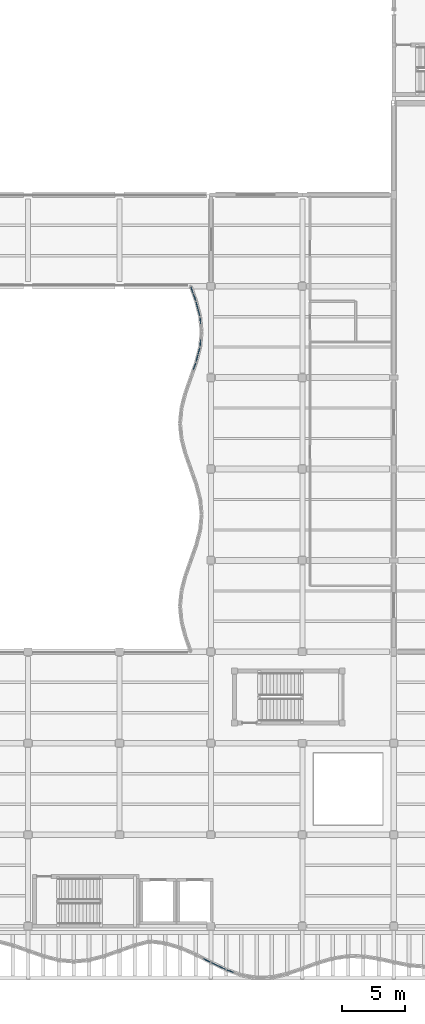
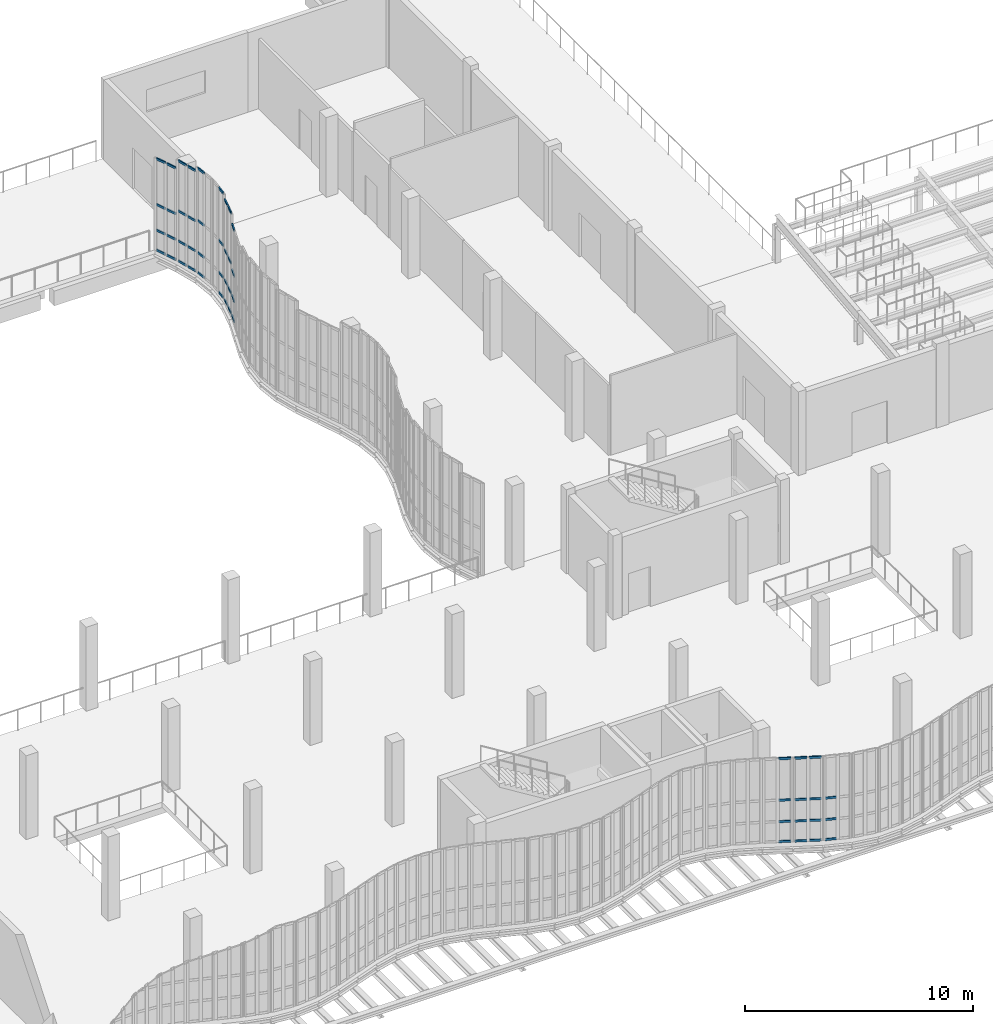
# One storey, part 56 of 105: 51 members, 9 elements without a shape of their own.
"""IFC4 building model written with IfcOpenShell, lengths in metres."""

import ifcopenshell
import ifcopenshell.guid

model = None  # the IFC model being written
_history = None  # IfcOwnerHistory: only IFC2X3 demands one
_inside = {}  # id of a spatial element -> (the spatial element, [elements in it])
_under = {}  # id of a project, library or spatial element -> (it, [spatial elements below it])
_declared = {}  # id of a project -> (the project, [libraries it declares])
_typed = {}  # id of a type object -> (the type object, [elements of that type])
_made_of = {}  # id of a material, layer set ... -> (it, [elements and type objects made of it])


def new_model(schema):
    """Start an empty IFC model of exactly this schema.

    Asked for "IFC4X3", IfcOpenShell would pick the latest addendum, in which some entities
    have other attributes; the version numbers below select the first issue.
    IFC2X3 requires an IfcOwnerHistory on every rooted entity: one is made here for all.
    """
    global model, _history
    if schema == "IFC4X3":
        model = ifcopenshell.file(schema_version=(4, 3, 0, 0))
    else:
        model = ifcopenshell.file(schema=schema)
    _inside.clear()
    _under.clear()
    _declared.clear()
    _typed.clear()
    _made_of.clear()
    _history = None
    if model.schema == "IFC2X3":
        org = make("IfcOrganization", Name="unknown")
        user = make(
            "IfcPersonAndOrganization",
            ThePerson=make("IfcPerson", FamilyName="unknown"),
            TheOrganization=org,
        )
        app = make(
            "IfcApplication",
            ApplicationDeveloper=org,
            Version="unknown",
            ApplicationFullName="unknown",
            ApplicationIdentifier="unknown",
        )
        _history = make(
            "IfcOwnerHistory",
            OwningUser=user,
            OwningApplication=app,
            ChangeAction="ADDED",
            CreationDate=0,
        )
    return model


def make(cls, **values):
    """One entity of the class cls with the attributes given. An attribute that is None is left unset."""
    return model.create_entity(
        cls, **{name: value for name, value in values.items() if value is not None}
    )


def rooted(cls, **values):
    """An entity with a GlobalId (a new one), such as an element, a storey or a relation."""
    return make(cls, GlobalId=ifcopenshell.guid.new(), OwnerHistory=_history, **values)


def si_unit(unit_type, name, prefix=None):
    """IfcSIUnit, for example si_unit("LENGTHUNIT", "METRE", prefix="MILLI")."""
    return make("IfcSIUnit", UnitType=unit_type, Prefix=prefix, Name=name)


def assignment(units):
    """IfcUnitAssignment: the units of a project."""
    return None if units is None else make("IfcUnitAssignment", Units=units)


def point(xyz):
    """IfcCartesianPoint."""
    return None if xyz is None else make("IfcCartesianPoint", Coordinates=xyz)


def direction(xyz):
    """IfcDirection."""
    return None if xyz is None else make("IfcDirection", DirectionRatios=xyz)


def frame(location, z_axis=None, x_axis=None):
    """IfcAxis2Placement3D, a coordinate frame: its origin and axes. An axis left out is left unset."""
    return make(
        "IfcAxis2Placement3D",
        Location=point(location),
        Axis=direction(z_axis),
        RefDirection=direction(x_axis),
    )


def frame_2d(location, x_axis=None):
    """IfcAxis2Placement2D, a coordinate frame in the plane: its origin and x axis."""
    return make(
        "IfcAxis2Placement2D", Location=point(location), RefDirection=direction(x_axis)
    )


def origin():
    """The frame at (0, 0, 0) with its axes left unset."""
    return frame((0.0, 0.0, 0.0))


def origin_2d():
    """The frame at (0, 0) in the plane with its x axis left unset."""
    return frame_2d((0.0, 0.0))


def place(relative_to, where):
    """IfcLocalPlacement: puts the frame where relative to a parent placement (None: the world)."""
    return make(
        "IfcLocalPlacement", PlacementRelTo=relative_to, RelativePlacement=where
    )


def context(
    kind, dimensions, precision=None, world=None, true_north=None, identifier=None
):
    """IfcGeometricRepresentationContext, for example the 3D "Model" context."""
    return make(
        "IfcGeometricRepresentationContext",
        ContextIdentifier=identifier,
        ContextType=kind,
        CoordinateSpaceDimension=dimensions,
        Precision=precision,
        WorldCoordinateSystem=world,
        TrueNorth=true_north,
    )


def subcontext(parent, identifier, kind, view, scale=None):
    """IfcGeometricRepresentationSubContext, for example "Body" below "Model"."""
    return make(
        "IfcGeometricRepresentationSubContext",
        ContextIdentifier=identifier,
        ContextType=kind,
        ParentContext=parent,
        TargetScale=scale,
        TargetView=view,
    )


def project(units=None, contexts=None):
    """IfcProject with its units and contexts."""
    return rooted(
        "IfcProject",
        Name="project",
        RepresentationContexts=contexts,
        UnitsInContext=assignment(units),
    )


def spatial(cls, under=None, at=None, **own):
    """A site, building, storey or space (cls), placed at a placement, below another one or the project."""
    s = rooted(cls, ObjectPlacement=at, **own)
    if under is not None:
        _under.setdefault(under.id(), (under, []))[1].append(s)
    return s


def profile(cls, at=None, kind="AREA", **sizes):
    """A parametric profile (cls). Its sizes go by their IFC names, for example OverallWidth=200.0."""
    return make(cls, ProfileType=kind, Position=at, **sizes)


def hollow_rectangle(**sizes):
    """IfcRectangleHollowProfileDef."""
    return profile("IfcRectangleHollowProfileDef", **sizes)


def extrude(swept, where, along, depth):
    """IfcExtrudedAreaSolid: the profile swept, set in the frame where, extruded along a direction by depth."""
    return make(
        "IfcExtrudedAreaSolid",
        SweptArea=swept,
        Position=where,
        ExtrudedDirection=direction(along),
        Depth=depth,
    )


def shape(context_of_items, identifier, shape_type, items):
    """IfcShapeRepresentation: the items that make up one representation, for example the "Body"."""
    return make(
        "IfcShapeRepresentation",
        ContextOfItems=context_of_items,
        RepresentationIdentifier=identifier,
        RepresentationType=shape_type,
        Items=items,
    )


def material(Name=None, Category=None):
    """IfcMaterial."""
    return make("IfcMaterial", Name=Name, Category=Category)


def layer(
    of_material, thickness, ventilated=None, Name=None, Category=None, Priority=None
):
    """IfcMaterialLayer: one layer of a wall or slab, of a material (None: an air gap)."""
    return make(
        "IfcMaterialLayer",
        Material=of_material,
        LayerThickness=thickness,
        IsVentilated=ventilated,
        Name=Name,
        Category=Category,
        Priority=Priority,
    )


def layer_set(layers, Name=None):
    """IfcMaterialLayerSet."""
    return make("IfcMaterialLayerSet", MaterialLayers=layers, LayerSetName=Name)


def material_profile(
    of_material, cross_section, Name=None, Category=None, Priority=None
):
    """IfcMaterialProfile: a cross section and its material."""
    return make(
        "IfcMaterialProfile",
        Name=Name,
        Material=of_material,
        Profile=cross_section,
        Priority=Priority,
        Category=Category,
    )


def profile_set(profiles, Name=None, composite=None):
    """IfcMaterialProfileSet."""
    return make(
        "IfcMaterialProfileSet",
        Name=Name,
        MaterialProfiles=profiles,
        CompositeProfile=composite,
    )


def made_of(thing, what):
    """Note that an element or type object is made of a material, layer set ...; save() writes the relation."""
    if what is not None:
        _made_of.setdefault(what.id(), (what, []))[1].append(thing)
    return thing


def type_object(cls, material=None, **own):
    """A type object (cls), such as IfcWallType, which elements share."""
    return made_of(rooted(cls, **own), material)


def element(
    cls,
    number,
    at=None,
    inside=None,
    cuts=None,
    type_object=None,
    material=None,
    context=None,
    identifier="Body",
    shape_type=None,
    held_by="IfcProductDefinitionShape",
    body=None,
    shapes=None,
    **own,
):
    """One element of the class cls, such as IfcWall. Its Tag is "e" and its number.

    at: its placement. inside: the storey or other place that contains it. cuts: it is an
    opening in that element (IfcRelVoidsElement). A single representation is given by context,
    identifier, shape_type and body (its items); several are given by shapes. held_by: the class
    of the entity that holds the representations. save() writes the other relations.
    """
    e = rooted(cls, Tag="e%d" % number, ObjectPlacement=at, **own)
    if body is not None:
        shapes = [shape(context, identifier, shape_type, body)]
    if shapes is not None:
        e.Representation = make(held_by, Representations=shapes)
    if inside is not None:
        _inside.setdefault(inside.id(), (inside, []))[1].append(e)
    if cuts is not None:
        rooted(
            "IfcRelVoidsElement", RelatingBuildingElement=cuts, RelatedOpeningElement=e
        )
    if type_object is not None:
        _typed.setdefault(type_object.id(), (type_object, []))[1].append(e)
    return made_of(e, material)


def aggregate(whole, parts):
    """IfcRelAggregates: a whole, such as a stair, and the parts it consists of."""
    return rooted("IfcRelAggregates", RelatingObject=whole, RelatedObjects=parts)


def save(model, path):
    """Write the relations noted so far, then the file.

    IfcRelAggregates (storeys below a building ...), IfcRelContainedInSpatialStructure (elements
    in a storey), IfcRelDefinesByType, IfcRelAssociatesMaterial and IfcRelDeclares: one each for
    every whole, place, type object, material and project.
    """
    for whole, parts in _under.values():
        aggregate(whole, parts)
    for where, things in _inside.values():
        rooted(
            "IfcRelContainedInSpatialStructure",
            RelatedElements=things,
            RelatingStructure=where,
        )
    for kind, things in _typed.values():
        rooted("IfcRelDefinesByType", RelatedObjects=things, RelatingType=kind)
    for what, things in _made_of.values():
        rooted("IfcRelAssociatesMaterial", RelatedObjects=things, RelatingMaterial=what)
    for by, libraries in _declared.values():
        rooted("IfcRelDeclares", RelatingContext=by, RelatedDefinitions=libraries)
    model.write(path)


model = new_model("IFC4")

# Units and contexts
model_context = context("Model", 3, precision=1e-05, world=origin(), true_north=direction((0.0, 1.0)))
body_context = subcontext(model_context, "Body", "Model", "MODEL_VIEW")
ifc_project = project(units=[si_unit("LENGTHUNIT", "METRE"), si_unit("AREAUNIT", "SQUARE_METRE"), si_unit("VOLUMEUNIT", "CUBIC_METRE"), si_unit("PLANEANGLEUNIT", "RADIAN"), si_unit("MASSUNIT", "GRAM", prefix="KILO"), si_unit("THERMODYNAMICTEMPERATUREUNIT", "KELVIN"), si_unit("POWERUNIT", "WATT")], contexts=[model_context])

# Site, building, storey
site_placement = place(None, origin())
site = spatial("IfcSite", under=ifc_project, at=site_placement, CompositionType="ELEMENT")
building_placement = place(site_placement, origin())
building = spatial("IfcBuilding", under=site, at=building_placement, Name="Kaldorven Railside Theatre", CompositionType="ELEMENT")
storey_placement = place(building_placement, frame((0.0, 0.0, 9.89990234375)))
storey = spatial("IfcBuildingStorey", under=building, at=storey_placement, Name="L02", CompositionType="ELEMENT", Elevation=9.89990234375)

# Curtain wall, members
ifc_material_1 = material(Name="Low-E laminated solar-control glass", Category="glass")
ifc_layer_1 = layer(ifc_material_1, 0.159912109375, Name="Low-E laminated solar-control glass")
ifc_layer_set_1 = layer_set([ifc_layer_1], Name="Low-E laminated solar-control glass")
curtain_wall_type_1 = type_object("IfcCurtainWallType", Name="CWT-06", PredefinedType="USERDEFINED", material=ifc_layer_set_1)
curtain_wall_1_placement = place(storey_placement, origin())
curtain_wall_1 = element("IfcCurtainWall", 1, at=curtain_wall_1_placement, inside=storey, type_object=curtain_wall_type_1, Name="Sinusoidal Fluted Curtain Wall CW-L02-S30", ObjectType="FLUTED GLAZING", PredefinedType="USERDEFINED")
ifc_material_2 = material(Name="Anodised bronze aluminium", Category="aluminium")
ifc_material_profile = material_profile(ifc_material_2, hollow_rectangle(XDim=0.06005859375, YDim=0.1201171875, WallThickness=0.0048828125, at=origin_2d()), Name="RHS 120x60x5")
ifc_profile_set = profile_set([ifc_material_profile], Name="Anodised bronze aluminium")
member_type = type_object("IfcMemberType", Name="CWT-120", PredefinedType="USERDEFINED", material=ifc_profile_set)
member_1_placement = place(storey_placement, frame((72.235595703125, 16.6328125, 0.030029296875), z_axis=(0.892206748065, -0.451627189956, 0.0), x_axis=(0.451627189956, 0.892206748065, 0.0)))
member_1 = element("IfcMember", 2, at=member_1_placement, type_object=member_type, Name="CW-L02-S30 transom 2.1", ObjectType="TRANSOM", PredefinedType="USERDEFINED", context=body_context, shape_type="SweptSolid", body=[
    extrude(hollow_rectangle(XDim=0.06005859375, YDim=0.1201171875, WallThickness=0.0048828125, at=origin_2d()), origin(), (0.0, 0.0, 1.0), 0.552490234375),
])
member_2_placement = place(storey_placement, frame((72.235595703125, 16.6328125, 1.10009765625), z_axis=(0.892206748065, -0.451627189956, 0.0), x_axis=(0.451627189956, 0.892206748065, 0.0)))
member_2 = element("IfcMember", 3, at=member_2_placement, type_object=member_type, Name="CW-L02-S30 transom 2.2", ObjectType="TRANSOM", PredefinedType="USERDEFINED", context=body_context, shape_type="SweptSolid", body=[
    extrude(hollow_rectangle(XDim=0.06005859375, YDim=0.1201171875, WallThickness=0.0048828125, at=origin_2d()), origin(), (0.0, 0.0, 1.0), 0.552490234375),
])
member_3_placement = place(storey_placement, frame((72.235595703125, 16.6328125, 2.25), z_axis=(0.892206748065, -0.451627189956, 0.0), x_axis=(0.451627189956, 0.892206748065, 0.0)))
member_3 = element("IfcMember", 4, at=member_3_placement, type_object=member_type, Name="CW-L02-S30 transom 2.3", ObjectType="TRANSOM", PredefinedType="USERDEFINED", context=body_context, shape_type="SweptSolid", body=[
    extrude(hollow_rectangle(XDim=0.06005859375, YDim=0.1201171875, WallThickness=0.0048828125, at=origin_2d()), origin(), (0.0, 0.0, 1.0), 0.552490234375),
])
member_4_placement = place(storey_placement, frame((72.235595703125, 16.6328125, 4.47021484375), z_axis=(0.892206748065, -0.451627189956, 0.0), x_axis=(0.451627189956, 0.892206748065, 0.0)))
member_4 = element("IfcMember", 5, at=member_4_placement, type_object=member_type, Name="CW-L02-S30 transom 2.4", ObjectType="TRANSOM", PredefinedType="USERDEFINED", context=body_context, shape_type="SweptSolid", body=[
    extrude(hollow_rectangle(XDim=0.06005859375, YDim=0.1201171875, WallThickness=0.0048828125, at=origin_2d()), origin(), (0.0, 0.0, 1.0), 0.552490234375),
])
aggregate(curtain_wall_1, [member_1, member_2, member_3, member_4])

curtain_wall_2_placement = place(storey_placement, origin())
curtain_wall_2 = element("IfcCurtainWall", 6, at=curtain_wall_2_placement, inside=storey, type_object=curtain_wall_type_1, Name="Sinusoidal Fluted Curtain Wall CW-L02-S31", ObjectType="FLUTED GLAZING", PredefinedType="USERDEFINED")
member_5_placement = place(storey_placement, frame((72.8720703125, 16.3125, 0.030029296875), z_axis=(0.90085923382, -0.434111323097, 0.0), x_axis=(0.434111323097, 0.90085923382, 0.0)))
member_5 = element("IfcMember", 7, at=member_5_placement, type_object=member_type, Name="CW-L02-S31 transom 1.1", ObjectType="TRANSOM", PredefinedType="USERDEFINED", context=body_context, shape_type="SweptSolid", body=[
    extrude(hollow_rectangle(XDim=0.06005859375, YDim=0.1201171875, WallThickness=0.0048828125, at=origin_2d()), origin(), (0.0, 0.0, 1.0), 0.546142578125),
])
member_6_placement = place(storey_placement, frame((72.8720703125, 16.3125, 1.10009765625), z_axis=(0.90085923382, -0.434111323097, 0.0), x_axis=(0.434111323097, 0.90085923382, 0.0)))
member_6 = element("IfcMember", 8, at=member_6_placement, type_object=member_type, Name="CW-L02-S31 transom 1.2", ObjectType="TRANSOM", PredefinedType="USERDEFINED", context=body_context, shape_type="SweptSolid", body=[
    extrude(hollow_rectangle(XDim=0.06005859375, YDim=0.1201171875, WallThickness=0.0048828125, at=origin_2d()), origin(), (0.0, 0.0, 1.0), 0.546142578125),
])
member_7_placement = place(storey_placement, frame((72.8720703125, 16.3125, 2.25), z_axis=(0.90085923382, -0.434111323097, 0.0), x_axis=(0.434111323097, 0.90085923382, 0.0)))
member_7 = element("IfcMember", 9, at=member_7_placement, type_object=member_type, Name="CW-L02-S31 transom 1.3", ObjectType="TRANSOM", PredefinedType="USERDEFINED", context=body_context, shape_type="SweptSolid", body=[
    extrude(hollow_rectangle(XDim=0.06005859375, YDim=0.1201171875, WallThickness=0.0048828125, at=origin_2d()), origin(), (0.0, 0.0, 1.0), 0.546142578125),
])
member_8_placement = place(storey_placement, frame((72.8720703125, 16.3125, 4.47021484375), z_axis=(0.90085923382, -0.434111323097, 0.0), x_axis=(0.434111323097, 0.90085923382, 0.0)))
member_8 = element("IfcMember", 10, at=member_8_placement, type_object=member_type, Name="CW-L02-S31 transom 1.4", ObjectType="TRANSOM", PredefinedType="USERDEFINED", context=body_context, shape_type="SweptSolid", body=[
    extrude(hollow_rectangle(XDim=0.06005859375, YDim=0.1201171875, WallThickness=0.0048828125, at=origin_2d()), origin(), (0.0, 0.0, 1.0), 0.546142578125),
])
member_9_placement = place(storey_placement, frame((73.43603515625, 16.040771484375, 0.030029296875), z_axis=(0.900684355074, -0.434474041256, 0.0), x_axis=(0.434474041256, 0.900684355074, 0.0)))
member_9 = element("IfcMember", 11, at=member_9_placement, type_object=member_type, Name="CW-L02-S31 transom 2.1", ObjectType="TRANSOM", PredefinedType="USERDEFINED", context=body_context, shape_type="SweptSolid", body=[
    extrude(hollow_rectangle(XDim=0.06005859375, YDim=0.1201171875, WallThickness=0.0048828125, at=origin_2d()), origin(), (0.0, 0.0, 1.0), 0.546142578125),
])
member_10_placement = place(storey_placement, frame((73.43603515625, 16.040771484375, 1.10009765625), z_axis=(0.900684355074, -0.434474041256, 0.0), x_axis=(0.434474041256, 0.900684355074, 0.0)))
member_10 = element("IfcMember", 12, at=member_10_placement, type_object=member_type, Name="CW-L02-S31 transom 2.2", ObjectType="TRANSOM", PredefinedType="USERDEFINED", context=body_context, shape_type="SweptSolid", body=[
    extrude(hollow_rectangle(XDim=0.06005859375, YDim=0.1201171875, WallThickness=0.0048828125, at=origin_2d()), origin(), (0.0, 0.0, 1.0), 0.546142578125),
])
member_11_placement = place(storey_placement, frame((73.43603515625, 16.040771484375, 2.25), z_axis=(0.900684355074, -0.434474041256, 0.0), x_axis=(0.434474041256, 0.900684355074, 0.0)))
member_11 = element("IfcMember", 13, at=member_11_placement, type_object=member_type, Name="CW-L02-S31 transom 2.3", ObjectType="TRANSOM", PredefinedType="USERDEFINED", context=body_context, shape_type="SweptSolid", body=[
    extrude(hollow_rectangle(XDim=0.06005859375, YDim=0.1201171875, WallThickness=0.0048828125, at=origin_2d()), origin(), (0.0, 0.0, 1.0), 0.546142578125),
])
member_12_placement = place(storey_placement, frame((73.43603515625, 16.040771484375, 4.47021484375), z_axis=(0.900684355074, -0.434474041256, 0.0), x_axis=(0.434474041256, 0.900684355074, 0.0)))
member_12 = element("IfcMember", 14, at=member_12_placement, type_object=member_type, Name="CW-L02-S31 transom 2.4", ObjectType="TRANSOM", PredefinedType="USERDEFINED", context=body_context, shape_type="SweptSolid", body=[
    extrude(hollow_rectangle(XDim=0.06005859375, YDim=0.1201171875, WallThickness=0.0048828125, at=origin_2d()), origin(), (0.0, 0.0, 1.0), 0.546142578125),
])
aggregate(curtain_wall_2, [member_5, member_6, member_7, member_8, member_9, member_10, member_11, member_12])

ifc_layer_2 = layer(ifc_material_1, 0.159912109375, Name="Low-E laminated solar-control glass")
ifc_layer_set_2 = layer_set([ifc_layer_2], Name="Low-E laminated solar-control glass")
curtain_wall_type_2 = type_object("IfcCurtainWallType", Name="CWT-01", PredefinedType="USERDEFINED", material=ifc_layer_set_2)
curtain_wall_3_placement = place(storey_placement, origin())
curtain_wall_3 = element("IfcCurtainWall", 15, at=curtain_wall_3_placement, inside=storey, type_object=curtain_wall_type_2, Name="Sinusoidal Fluted Curtain Wall CW-L02-S32", ObjectType="FLUTED GLAZING", PredefinedType="USERDEFINED")
member_13_placement = place(storey_placement, frame((74.0751953125, 15.741455078125, 0.030029296875), z_axis=(0.939765927039, -0.341818668853, 0.0), x_axis=(0.341818668853, 0.939765927039, 0.0)))
member_13 = element("IfcMember", 16, at=member_13_placement, type_object=member_type, Name="CW-L02-S32 transom 1.1", ObjectType="TRANSOM", PredefinedType="USERDEFINED", context=body_context, shape_type="SweptSolid", body=[
    extrude(hollow_rectangle(XDim=0.06005859375, YDim=0.1201171875, WallThickness=0.0048828125, at=origin_2d()), origin(), (0.0, 0.0, 1.0), 0.5185546875),
])
member_14_placement = place(storey_placement, frame((74.0751953125, 15.741455078125, 1.10009765625), z_axis=(0.939765927039, -0.341818668853, 0.0), x_axis=(0.341818668853, 0.939765927039, 0.0)))
member_14 = element("IfcMember", 17, at=member_14_placement, type_object=member_type, Name="CW-L02-S32 transom 1.2", ObjectType="TRANSOM", PredefinedType="USERDEFINED", context=body_context, shape_type="SweptSolid", body=[
    extrude(hollow_rectangle(XDim=0.06005859375, YDim=0.1201171875, WallThickness=0.0048828125, at=origin_2d()), origin(), (0.0, 0.0, 1.0), 0.5185546875),
])
member_15_placement = place(storey_placement, frame((74.0751953125, 15.741455078125, 2.25), z_axis=(0.939765927039, -0.341818668853, 0.0), x_axis=(0.341818668853, 0.939765927039, 0.0)))
member_15 = element("IfcMember", 18, at=member_15_placement, type_object=member_type, Name="CW-L02-S32 transom 1.3", ObjectType="TRANSOM", PredefinedType="USERDEFINED", context=body_context, shape_type="SweptSolid", body=[
    extrude(hollow_rectangle(XDim=0.06005859375, YDim=0.1201171875, WallThickness=0.0048828125, at=origin_2d()), origin(), (0.0, 0.0, 1.0), 0.5185546875),
])
aggregate(curtain_wall_3, [member_13, member_14, member_15])

ifc_layer_3 = layer(ifc_material_1, 0.159912109375, Name="Low-E laminated solar-control glass")
ifc_layer_set_3 = layer_set([ifc_layer_3], Name="Low-E laminated solar-control glass")
curtain_wall_type_3 = type_object("IfcCurtainWallType", Name="CWT-22", PredefinedType="USERDEFINED", material=ifc_layer_set_3)
curtain_wall_4_placement = place(storey_placement, origin())
curtain_wall_4 = element("IfcCurtainWall", 19, at=curtain_wall_4_placement, inside=storey, type_object=curtain_wall_type_3, Name="Sinusoidal Fluted Curtain Wall CW-L02-W19", ObjectType="FLUTED GLAZING", PredefinedType="USERDEFINED")
member_16_placement = place(storey_placement, frame((71.42578125, 63.03759765625, 0.030029296875), z_axis=(0.334030800363, 0.94256215944, 0.0), x_axis=(-0.94256215944, 0.334030800363, 0.0)))
member_16 = element("IfcMember", 20, at=member_16_placement, type_object=member_type, Name="CW-L02-W19 transom 2.1", ObjectType="TRANSOM", PredefinedType="USERDEFINED", context=body_context, shape_type="SweptSolid", body=[
    extrude(hollow_rectangle(XDim=0.06005859375, YDim=0.1201171875, WallThickness=0.0048828125, at=origin_2d()), origin(), (0.0, 0.0, 1.0), 0.516845703125),
])
member_17_placement = place(storey_placement, frame((71.42578125, 63.03759765625, 1.10009765625), z_axis=(0.334030800363, 0.94256215944, 0.0), x_axis=(-0.94256215944, 0.334030800363, 0.0)))
member_17 = element("IfcMember", 21, at=member_17_placement, type_object=member_type, Name="CW-L02-W19 transom 2.2", ObjectType="TRANSOM", PredefinedType="USERDEFINED", context=body_context, shape_type="SweptSolid", body=[
    extrude(hollow_rectangle(XDim=0.06005859375, YDim=0.1201171875, WallThickness=0.0048828125, at=origin_2d()), origin(), (0.0, 0.0, 1.0), 0.516845703125),
])
member_18_placement = place(storey_placement, frame((71.42578125, 63.03759765625, 2.47509765625), z_axis=(0.334030800363, 0.94256215944, 0.0), x_axis=(-0.94256215944, 0.334030800363, 0.0)))
member_18 = element("IfcMember", 22, at=member_18_placement, type_object=member_type, Name="CW-L02-W19 transom 2.3", ObjectType="TRANSOM", PredefinedType="USERDEFINED", context=body_context, shape_type="SweptSolid", body=[
    extrude(hollow_rectangle(XDim=0.06005859375, YDim=0.1201171875, WallThickness=0.0048828125, at=origin_2d()), origin(), (0.0, 0.0, 1.0), 0.516845703125),
])
member_19_placement = place(storey_placement, frame((71.42578125, 63.03759765625, 4.920166015625), z_axis=(0.334030800363, 0.94256215944, 0.0), x_axis=(-0.94256215944, 0.334030800363, 0.0)))
member_19 = element("IfcMember", 23, at=member_19_placement, type_object=member_type, Name="CW-L02-W19 transom 2.4", ObjectType="TRANSOM", PredefinedType="USERDEFINED", context=body_context, shape_type="SweptSolid", body=[
    extrude(hollow_rectangle(XDim=0.06005859375, YDim=0.1201171875, WallThickness=0.0048828125, at=origin_2d()), origin(), (0.0, 0.0, 1.0), 0.516845703125),
])
aggregate(curtain_wall_4, [member_16, member_17, member_18, member_19])

ifc_layer_4 = layer(ifc_material_1, 0.159912109375, Name="Low-E laminated solar-control glass")
ifc_layer_set_4 = layer_set([ifc_layer_4], Name="Low-E laminated solar-control glass")
curtain_wall_type_4 = type_object("IfcCurtainWallType", Name="CWT-23", PredefinedType="USERDEFINED", material=ifc_layer_set_4)
curtain_wall_5_placement = place(storey_placement, origin())
curtain_wall_5 = element("IfcCurtainWall", 24, at=curtain_wall_5_placement, inside=storey, type_object=curtain_wall_type_4, Name="Sinusoidal Fluted Curtain Wall CW-L02-W20", ObjectType="FLUTED GLAZING", PredefinedType="USERDEFINED")
member_20_placement = place(storey_placement, frame((71.64501953125, 63.677490234375, 0.030029296875), z_axis=(0.251029954561, 0.967979318949, 0.0), x_axis=(-0.967979318949, 0.251029954561, 0.0)))
member_20 = element("IfcMember", 25, at=member_20_placement, type_object=member_type, Name="CW-L02-W20 transom 1.1", ObjectType="TRANSOM", PredefinedType="USERDEFINED", context=body_context, shape_type="SweptSolid", body=[
    extrude(hollow_rectangle(XDim=0.06005859375, YDim=0.1201171875, WallThickness=0.0048828125, at=origin_2d()), origin(), (0.0, 0.0, 1.0), 0.5),
])
member_21_placement = place(storey_placement, frame((71.64501953125, 63.677490234375, 1.10009765625), z_axis=(0.251029954561, 0.967979318949, 0.0), x_axis=(-0.967979318949, 0.251029954561, 0.0)))
member_21 = element("IfcMember", 26, at=member_21_placement, type_object=member_type, Name="CW-L02-W20 transom 1.2", ObjectType="TRANSOM", PredefinedType="USERDEFINED", context=body_context, shape_type="SweptSolid", body=[
    extrude(hollow_rectangle(XDim=0.06005859375, YDim=0.1201171875, WallThickness=0.0048828125, at=origin_2d()), origin(), (0.0, 0.0, 1.0), 0.5),
])
member_22_placement = place(storey_placement, frame((71.64501953125, 63.677490234375, 2.710205078125), z_axis=(0.251029954561, 0.967979318949, 0.0), x_axis=(-0.967979318949, 0.251029954561, 0.0)))
member_22 = element("IfcMember", 27, at=member_22_placement, type_object=member_type, Name="CW-L02-W20 transom 1.3", ObjectType="TRANSOM", PredefinedType="USERDEFINED", context=body_context, shape_type="SweptSolid", body=[
    extrude(hollow_rectangle(XDim=0.06005859375, YDim=0.1201171875, WallThickness=0.0048828125, at=origin_2d()), origin(), (0.0, 0.0, 1.0), 0.5),
])
member_23_placement = place(storey_placement, frame((71.64501953125, 63.677490234375, 5.39013671875), z_axis=(0.251029954561, 0.967979318949, 0.0), x_axis=(-0.967979318949, 0.251029954561, 0.0)))
member_23 = element("IfcMember", 28, at=member_23_placement, type_object=member_type, Name="CW-L02-W20 transom 1.4", ObjectType="TRANSOM", PredefinedType="USERDEFINED", context=body_context, shape_type="SweptSolid", body=[
    extrude(hollow_rectangle(XDim=0.06005859375, YDim=0.1201171875, WallThickness=0.0048828125, at=origin_2d()), origin(), (0.0, 0.0, 1.0), 0.5),
])
member_24_placement = place(storey_placement, frame((71.79052734375, 64.23876953125, 0.030029296875), z_axis=(0.251029954561, 0.967979318949, 0.0), x_axis=(-0.967979318949, 0.251029954561, 0.0)))
member_24 = element("IfcMember", 29, at=member_24_placement, type_object=member_type, Name="CW-L02-W20 transom 2.1", ObjectType="TRANSOM", PredefinedType="USERDEFINED", context=body_context, shape_type="SweptSolid", body=[
    extrude(hollow_rectangle(XDim=0.06005859375, YDim=0.1201171875, WallThickness=0.0048828125, at=origin_2d()), origin(), (0.0, 0.0, 1.0), 0.5),
])
member_25_placement = place(storey_placement, frame((71.79052734375, 64.23876953125, 1.10009765625), z_axis=(0.251029954561, 0.967979318949, 0.0), x_axis=(-0.967979318949, 0.251029954561, 0.0)))
member_25 = element("IfcMember", 30, at=member_25_placement, type_object=member_type, Name="CW-L02-W20 transom 2.2", ObjectType="TRANSOM", PredefinedType="USERDEFINED", context=body_context, shape_type="SweptSolid", body=[
    extrude(hollow_rectangle(XDim=0.06005859375, YDim=0.1201171875, WallThickness=0.0048828125, at=origin_2d()), origin(), (0.0, 0.0, 1.0), 0.5),
])
member_26_placement = place(storey_placement, frame((71.79052734375, 64.23876953125, 2.710205078125), z_axis=(0.251029954561, 0.967979318949, 0.0), x_axis=(-0.967979318949, 0.251029954561, 0.0)))
member_26 = element("IfcMember", 31, at=member_26_placement, type_object=member_type, Name="CW-L02-W20 transom 2.3", ObjectType="TRANSOM", PredefinedType="USERDEFINED", context=body_context, shape_type="SweptSolid", body=[
    extrude(hollow_rectangle(XDim=0.06005859375, YDim=0.1201171875, WallThickness=0.0048828125, at=origin_2d()), origin(), (0.0, 0.0, 1.0), 0.5),
])
member_27_placement = place(storey_placement, frame((71.79052734375, 64.23876953125, 5.39013671875), z_axis=(0.251029954561, 0.967979318949, 0.0), x_axis=(-0.967979318949, 0.251029954561, 0.0)))
member_27 = element("IfcMember", 32, at=member_27_placement, type_object=member_type, Name="CW-L02-W20 transom 2.4", ObjectType="TRANSOM", PredefinedType="USERDEFINED", context=body_context, shape_type="SweptSolid", body=[
    extrude(hollow_rectangle(XDim=0.06005859375, YDim=0.1201171875, WallThickness=0.0048828125, at=origin_2d()), origin(), (0.0, 0.0, 1.0), 0.5),
])
aggregate(curtain_wall_5, [member_20, member_21, member_22, member_23, member_24, member_25, member_26, member_27])

ifc_layer_5 = layer(ifc_material_1, 0.159912109375, Name="Low-E laminated solar-control glass")
ifc_layer_set_5 = layer_set([ifc_layer_5], Name="Low-E laminated solar-control glass")
curtain_wall_type_5 = type_object("IfcCurtainWallType", Name="CWT-24", PredefinedType="USERDEFINED", material=ifc_layer_set_5)
curtain_wall_6_placement = place(storey_placement, origin())
curtain_wall_6 = element("IfcCurtainWall", 33, at=curtain_wall_6_placement, inside=storey, type_object=curtain_wall_type_5, Name="Sinusoidal Fluted Curtain Wall CW-L02-W21", ObjectType="FLUTED GLAZING", PredefinedType="USERDEFINED")
member_28_placement = place(storey_placement, frame((71.943603515625, 64.879638671875, 0.030029296875), z_axis=(0.094594245591, 0.995515910823, 0.0), x_axis=(-0.995515910823, 0.094594245591, 0.0)))
member_28 = element("IfcMember", 34, at=member_28_placement, type_object=member_type, Name="CW-L02-W21 transom 1.1", ObjectType="TRANSOM", PredefinedType="USERDEFINED", context=body_context, shape_type="SweptSolid", body=[
    extrude(hollow_rectangle(XDim=0.06005859375, YDim=0.1201171875, WallThickness=0.0048828125, at=origin_2d()), origin(), (0.0, 0.0, 1.0), 0.482666015625),
])
member_29_placement = place(storey_placement, frame((71.943603515625, 64.879638671875, 1.10009765625), z_axis=(0.094594245591, 0.995515910823, 0.0), x_axis=(-0.995515910823, 0.094594245591, 0.0)))
member_29 = element("IfcMember", 35, at=member_29_placement, type_object=member_type, Name="CW-L02-W21 transom 1.2", ObjectType="TRANSOM", PredefinedType="USERDEFINED", context=body_context, shape_type="SweptSolid", body=[
    extrude(hollow_rectangle(XDim=0.06005859375, YDim=0.1201171875, WallThickness=0.0048828125, at=origin_2d()), origin(), (0.0, 0.0, 1.0), 0.482666015625),
])
member_30_placement = place(storey_placement, frame((71.943603515625, 64.879638671875, 2.820068359375), z_axis=(0.094594245591, 0.995515910823, 0.0), x_axis=(-0.995515910823, 0.094594245591, 0.0)))
member_30 = element("IfcMember", 36, at=member_30_placement, type_object=member_type, Name="CW-L02-W21 transom 1.3", ObjectType="TRANSOM", PredefinedType="USERDEFINED", context=body_context, shape_type="SweptSolid", body=[
    extrude(hollow_rectangle(XDim=0.06005859375, YDim=0.1201171875, WallThickness=0.0048828125, at=origin_2d()), origin(), (0.0, 0.0, 1.0), 0.482666015625),
])
member_31_placement = place(storey_placement, frame((71.943603515625, 64.879638671875, 5.610107421875), z_axis=(0.094594245591, 0.995515910823, 0.0), x_axis=(-0.995515910823, 0.094594245591, 0.0)))
member_31 = element("IfcMember", 37, at=member_31_placement, type_object=member_type, Name="CW-L02-W21 transom 1.4", ObjectType="TRANSOM", PredefinedType="USERDEFINED", context=body_context, shape_type="SweptSolid", body=[
    extrude(hollow_rectangle(XDim=0.06005859375, YDim=0.1201171875, WallThickness=0.0048828125, at=origin_2d()), origin(), (0.0, 0.0, 1.0), 0.482666015625),
])
aggregate(curtain_wall_6, [member_28, member_29, member_30, member_31])

curtain_wall_7_placement = place(storey_placement, origin())
curtain_wall_7 = element("IfcCurtainWall", 38, at=curtain_wall_7_placement, inside=storey, type_object=curtain_wall_type_5, Name="Sinusoidal Fluted Curtain Wall CW-L02-W22", ObjectType="FLUTED GLAZING", PredefinedType="USERDEFINED")
member_32_placement = place(storey_placement, frame((71.9892578125, 66.639892578125, 0.030029296875), z_axis=(-0.094594245591, 0.995515910823, 0.0), x_axis=(-0.995515910823, -0.094594245591, 0.0)))
member_32 = element("IfcMember", 39, at=member_32_placement, type_object=member_type, Name="CW-L02-W22 transom 2.1", ObjectType="TRANSOM", PredefinedType="USERDEFINED", context=body_context, shape_type="SweptSolid", body=[
    extrude(hollow_rectangle(XDim=0.06005859375, YDim=0.1201171875, WallThickness=0.0048828125, at=origin_2d()), origin(), (0.0, 0.0, 1.0), 0.482666015625),
])
member_33_placement = place(storey_placement, frame((71.9892578125, 66.639892578125, 1.10009765625), z_axis=(-0.094594245591, 0.995515910823, 0.0), x_axis=(-0.995515910823, -0.094594245591, 0.0)))
member_33 = element("IfcMember", 40, at=member_33_placement, type_object=member_type, Name="CW-L02-W22 transom 2.2", ObjectType="TRANSOM", PredefinedType="USERDEFINED", context=body_context, shape_type="SweptSolid", body=[
    extrude(hollow_rectangle(XDim=0.06005859375, YDim=0.1201171875, WallThickness=0.0048828125, at=origin_2d()), origin(), (0.0, 0.0, 1.0), 0.482666015625),
])
member_34_placement = place(storey_placement, frame((71.9892578125, 66.639892578125, 2.820068359375), z_axis=(-0.094594245591, 0.995515910823, 0.0), x_axis=(-0.995515910823, -0.094594245591, 0.0)))
member_34 = element("IfcMember", 41, at=member_34_placement, type_object=member_type, Name="CW-L02-W22 transom 2.3", ObjectType="TRANSOM", PredefinedType="USERDEFINED", context=body_context, shape_type="SweptSolid", body=[
    extrude(hollow_rectangle(XDim=0.06005859375, YDim=0.1201171875, WallThickness=0.0048828125, at=origin_2d()), origin(), (0.0, 0.0, 1.0), 0.482666015625),
])
member_35_placement = place(storey_placement, frame((71.9892578125, 66.639892578125, 5.610107421875), z_axis=(-0.094594245591, 0.995515910823, 0.0), x_axis=(-0.995515910823, -0.094594245591, 0.0)))
member_35 = element("IfcMember", 42, at=member_35_placement, type_object=member_type, Name="CW-L02-W22 transom 2.4", ObjectType="TRANSOM", PredefinedType="USERDEFINED", context=body_context, shape_type="SweptSolid", body=[
    extrude(hollow_rectangle(XDim=0.06005859375, YDim=0.1201171875, WallThickness=0.0048828125, at=origin_2d()), origin(), (0.0, 0.0, 1.0), 0.482666015625),
])
aggregate(curtain_wall_7, [member_32, member_33, member_34, member_35])

curtain_wall_8_placement = place(storey_placement, origin())
curtain_wall_8 = element("IfcCurtainWall", 43, at=curtain_wall_8_placement, inside=storey, type_object=curtain_wall_type_4, Name="Sinusoidal Fluted Curtain Wall CW-L02-W23", ObjectType="FLUTED GLAZING", PredefinedType="USERDEFINED")
member_36_placement = place(storey_placement, frame((71.916015625, 67.27734375, 0.030029296875), z_axis=(-0.251029954561, 0.967979318949, 0.0), x_axis=(-0.967979318949, -0.251029954561, 0.0)))
member_36 = element("IfcMember", 44, at=member_36_placement, type_object=member_type, Name="CW-L02-W23 transom 1.1", ObjectType="TRANSOM", PredefinedType="USERDEFINED", context=body_context, shape_type="SweptSolid", body=[
    extrude(hollow_rectangle(XDim=0.06005859375, YDim=0.1201171875, WallThickness=0.0048828125, at=origin_2d()), origin(), (0.0, 0.0, 1.0), 0.5),
])
member_37_placement = place(storey_placement, frame((71.916015625, 67.27734375, 1.10009765625), z_axis=(-0.251029954561, 0.967979318949, 0.0), x_axis=(-0.967979318949, -0.251029954561, 0.0)))
member_37 = element("IfcMember", 45, at=member_37_placement, type_object=member_type, Name="CW-L02-W23 transom 1.2", ObjectType="TRANSOM", PredefinedType="USERDEFINED", context=body_context, shape_type="SweptSolid", body=[
    extrude(hollow_rectangle(XDim=0.06005859375, YDim=0.1201171875, WallThickness=0.0048828125, at=origin_2d()), origin(), (0.0, 0.0, 1.0), 0.5),
])
member_38_placement = place(storey_placement, frame((71.916015625, 67.27734375, 2.710205078125), z_axis=(-0.251029954561, 0.967979318949, 0.0), x_axis=(-0.967979318949, -0.251029954561, 0.0)))
member_38 = element("IfcMember", 46, at=member_38_placement, type_object=member_type, Name="CW-L02-W23 transom 1.3", ObjectType="TRANSOM", PredefinedType="USERDEFINED", context=body_context, shape_type="SweptSolid", body=[
    extrude(hollow_rectangle(XDim=0.06005859375, YDim=0.1201171875, WallThickness=0.0048828125, at=origin_2d()), origin(), (0.0, 0.0, 1.0), 0.5),
])
member_39_placement = place(storey_placement, frame((71.916015625, 67.27734375, 5.39013671875), z_axis=(-0.251029954561, 0.967979318949, 0.0), x_axis=(-0.967979318949, -0.251029954561, 0.0)))
member_39 = element("IfcMember", 47, at=member_39_placement, type_object=member_type, Name="CW-L02-W23 transom 1.4", ObjectType="TRANSOM", PredefinedType="USERDEFINED", context=body_context, shape_type="SweptSolid", body=[
    extrude(hollow_rectangle(XDim=0.06005859375, YDim=0.1201171875, WallThickness=0.0048828125, at=origin_2d()), origin(), (0.0, 0.0, 1.0), 0.5),
])
member_40_placement = place(storey_placement, frame((71.7705078125, 67.838623046875, 0.030029296875), z_axis=(-0.251029954561, 0.967979318949, 0.0), x_axis=(-0.967979318949, -0.251029954561, 0.0)))
member_40 = element("IfcMember", 48, at=member_40_placement, type_object=member_type, Name="CW-L02-W23 transom 2.1", ObjectType="TRANSOM", PredefinedType="USERDEFINED", context=body_context, shape_type="SweptSolid", body=[
    extrude(hollow_rectangle(XDim=0.06005859375, YDim=0.1201171875, WallThickness=0.0048828125, at=origin_2d()), origin(), (0.0, 0.0, 1.0), 0.5),
])
member_41_placement = place(storey_placement, frame((71.7705078125, 67.838623046875, 1.10009765625), z_axis=(-0.251029954561, 0.967979318949, 0.0), x_axis=(-0.967979318949, -0.251029954561, 0.0)))
member_41 = element("IfcMember", 49, at=member_41_placement, type_object=member_type, Name="CW-L02-W23 transom 2.2", ObjectType="TRANSOM", PredefinedType="USERDEFINED", context=body_context, shape_type="SweptSolid", body=[
    extrude(hollow_rectangle(XDim=0.06005859375, YDim=0.1201171875, WallThickness=0.0048828125, at=origin_2d()), origin(), (0.0, 0.0, 1.0), 0.5),
])
member_42_placement = place(storey_placement, frame((71.7705078125, 67.838623046875, 2.710205078125), z_axis=(-0.251029954561, 0.967979318949, 0.0), x_axis=(-0.967979318949, -0.251029954561, 0.0)))
member_42 = element("IfcMember", 50, at=member_42_placement, type_object=member_type, Name="CW-L02-W23 transom 2.3", ObjectType="TRANSOM", PredefinedType="USERDEFINED", context=body_context, shape_type="SweptSolid", body=[
    extrude(hollow_rectangle(XDim=0.06005859375, YDim=0.1201171875, WallThickness=0.0048828125, at=origin_2d()), origin(), (0.0, 0.0, 1.0), 0.5),
])
member_43_placement = place(storey_placement, frame((71.7705078125, 67.838623046875, 5.39013671875), z_axis=(-0.251029954561, 0.967979318949, 0.0), x_axis=(-0.967979318949, -0.251029954561, 0.0)))
member_43 = element("IfcMember", 51, at=member_43_placement, type_object=member_type, Name="CW-L02-W23 transom 2.4", ObjectType="TRANSOM", PredefinedType="USERDEFINED", context=body_context, shape_type="SweptSolid", body=[
    extrude(hollow_rectangle(XDim=0.06005859375, YDim=0.1201171875, WallThickness=0.0048828125, at=origin_2d()), origin(), (0.0, 0.0, 1.0), 0.5),
])
aggregate(curtain_wall_8, [member_36, member_37, member_38, member_39, member_40, member_41, member_42, member_43])

curtain_wall_9_placement = place(storey_placement, origin())
curtain_wall_9 = element("IfcCurtainWall", 52, at=curtain_wall_9_placement, inside=storey, type_object=curtain_wall_type_3, Name="Sinusoidal Fluted Curtain Wall CW-L02-W24", ObjectType="FLUTED GLAZING", PredefinedType="USERDEFINED")
member_44_placement = place(storey_placement, frame((71.598388671875, 68.475341796875, 0.030029296875), z_axis=(-0.334030800363, 0.94256215944, 0.0), x_axis=(-0.94256215944, -0.334030800363, 0.0)))
member_44 = element("IfcMember", 53, at=member_44_placement, type_object=member_type, Name="CW-L02-W24 transom 1.1", ObjectType="TRANSOM", PredefinedType="USERDEFINED", context=body_context, shape_type="SweptSolid", body=[
    extrude(hollow_rectangle(XDim=0.06005859375, YDim=0.1201171875, WallThickness=0.0048828125, at=origin_2d()), origin(), (0.0, 0.0, 1.0), 0.516845703125),
])
member_45_placement = place(storey_placement, frame((71.598388671875, 68.475341796875, 1.10009765625), z_axis=(-0.334030800363, 0.94256215944, 0.0), x_axis=(-0.94256215944, -0.334030800363, 0.0)))
member_45 = element("IfcMember", 54, at=member_45_placement, type_object=member_type, Name="CW-L02-W24 transom 1.2", ObjectType="TRANSOM", PredefinedType="USERDEFINED", context=body_context, shape_type="SweptSolid", body=[
    extrude(hollow_rectangle(XDim=0.06005859375, YDim=0.1201171875, WallThickness=0.0048828125, at=origin_2d()), origin(), (0.0, 0.0, 1.0), 0.516845703125),
])
member_46_placement = place(storey_placement, frame((71.598388671875, 68.475341796875, 2.47509765625), z_axis=(-0.334030800363, 0.94256215944, 0.0), x_axis=(-0.94256215944, -0.334030800363, 0.0)))
member_46 = element("IfcMember", 55, at=member_46_placement, type_object=member_type, Name="CW-L02-W24 transom 1.3", ObjectType="TRANSOM", PredefinedType="USERDEFINED", context=body_context, shape_type="SweptSolid", body=[
    extrude(hollow_rectangle(XDim=0.06005859375, YDim=0.1201171875, WallThickness=0.0048828125, at=origin_2d()), origin(), (0.0, 0.0, 1.0), 0.516845703125),
])
member_47_placement = place(storey_placement, frame((71.598388671875, 68.475341796875, 4.920166015625), z_axis=(-0.334030800363, 0.94256215944, 0.0), x_axis=(-0.94256215944, -0.334030800363, 0.0)))
member_47 = element("IfcMember", 56, at=member_47_placement, type_object=member_type, Name="CW-L02-W24 transom 1.4", ObjectType="TRANSOM", PredefinedType="USERDEFINED", context=body_context, shape_type="SweptSolid", body=[
    extrude(hollow_rectangle(XDim=0.06005859375, YDim=0.1201171875, WallThickness=0.0048828125, at=origin_2d()), origin(), (0.0, 0.0, 1.0), 0.516845703125),
])
member_48_placement = place(storey_placement, frame((71.399169921875, 69.03759765625, 0.030029296875), z_axis=(-0.333610954502, 0.942710841688, 0.0), x_axis=(-0.942710841688, -0.333610954502, 0.0)))
member_48 = element("IfcMember", 57, at=member_48_placement, type_object=member_type, Name="CW-L02-W24 transom 2.1", ObjectType="TRANSOM", PredefinedType="USERDEFINED", context=body_context, shape_type="SweptSolid", body=[
    extrude(hollow_rectangle(XDim=0.06005859375, YDim=0.1201171875, WallThickness=0.0048828125, at=origin_2d()), origin(), (0.0, 0.0, 1.0), 0.5166015625),
])
member_49_placement = place(storey_placement, frame((71.399169921875, 69.03759765625, 1.10009765625), z_axis=(-0.333610954502, 0.942710841688, 0.0), x_axis=(-0.942710841688, -0.333610954502, 0.0)))
member_49 = element("IfcMember", 58, at=member_49_placement, type_object=member_type, Name="CW-L02-W24 transom 2.2", ObjectType="TRANSOM", PredefinedType="USERDEFINED", context=body_context, shape_type="SweptSolid", body=[
    extrude(hollow_rectangle(XDim=0.06005859375, YDim=0.1201171875, WallThickness=0.0048828125, at=origin_2d()), origin(), (0.0, 0.0, 1.0), 0.5166015625),
])
member_50_placement = place(storey_placement, frame((71.399169921875, 69.03759765625, 2.47509765625), z_axis=(-0.333610954502, 0.942710841688, 0.0), x_axis=(-0.942710841688, -0.333610954502, 0.0)))
member_50 = element("IfcMember", 59, at=member_50_placement, type_object=member_type, Name="CW-L02-W24 transom 2.3", ObjectType="TRANSOM", PredefinedType="USERDEFINED", context=body_context, shape_type="SweptSolid", body=[
    extrude(hollow_rectangle(XDim=0.06005859375, YDim=0.1201171875, WallThickness=0.0048828125, at=origin_2d()), origin(), (0.0, 0.0, 1.0), 0.5166015625),
])
member_51_placement = place(storey_placement, frame((71.399169921875, 69.03759765625, 4.920166015625), z_axis=(-0.333610954502, 0.942710841688, 0.0), x_axis=(-0.942710841688, -0.333610954502, 0.0)))
member_51 = element("IfcMember", 60, at=member_51_placement, type_object=member_type, Name="CW-L02-W24 transom 2.4", ObjectType="TRANSOM", PredefinedType="USERDEFINED", context=body_context, shape_type="SweptSolid", body=[
    extrude(hollow_rectangle(XDim=0.06005859375, YDim=0.1201171875, WallThickness=0.0048828125, at=origin_2d()), origin(), (0.0, 0.0, 1.0), 0.5166015625),
])
aggregate(curtain_wall_9, [member_44, member_45, member_46, member_47, member_48, member_49, member_50, member_51])

save(model, "model.ifc")
